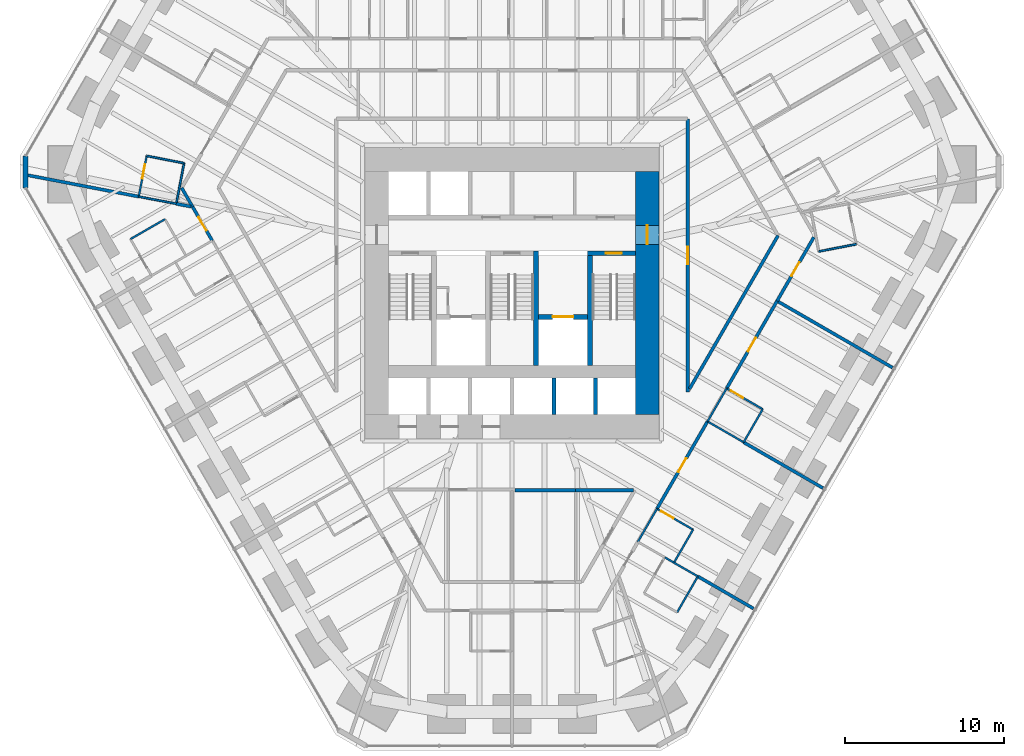
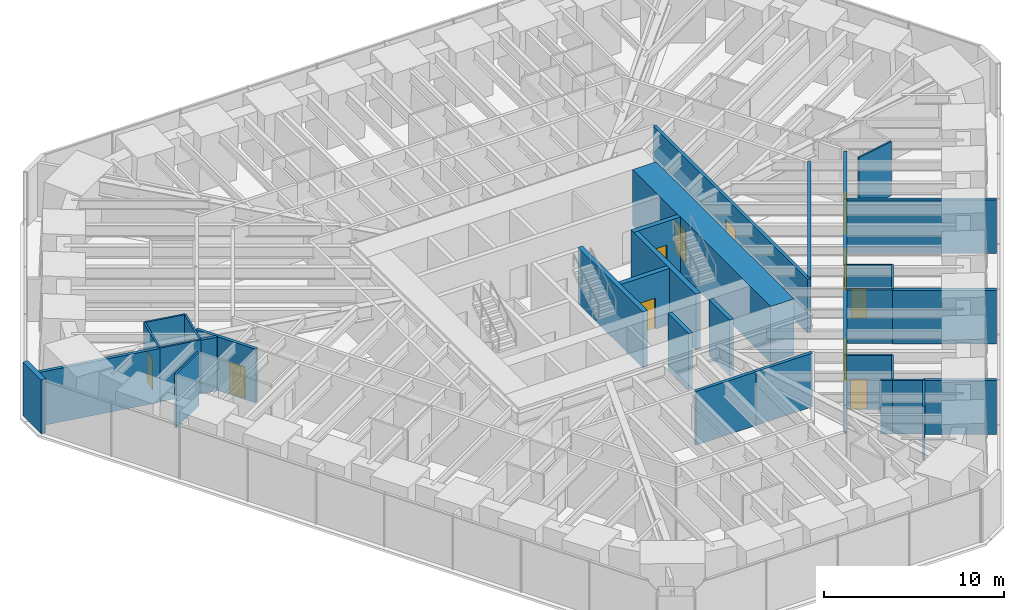
# One storey, part 13 of 17: 38 walls, 11 doors, 11 openings.
"""IFC4 building model written with IfcOpenShell, lengths in metres."""

from ifc_helpers import new_model, si_unit, direction, frame, frame_2d, origin, place, context, subcontext, project, spatial, rectangle, extrude, material, layer, layer_set, type_object, element, fill, save


model = new_model("IFC4")

# Units and contexts
model_context = context("Model", 3, precision=1e-05, world=origin(), true_north=direction((0.0, 1.0)))
body_context = subcontext(model_context, "Body", "Model", "MODEL_VIEW")
ifc_project = project(units=[si_unit("LENGTHUNIT", "METRE"), si_unit("AREAUNIT", "SQUARE_METRE"), si_unit("VOLUMEUNIT", "CUBIC_METRE"), si_unit("PLANEANGLEUNIT", "RADIAN"), si_unit("MASSUNIT", "GRAM", prefix="KILO")], contexts=[model_context])

# Site, building, storey
site_placement = place(None, origin())
site = spatial("IfcSite", under=ifc_project, at=site_placement, CompositionType="ELEMENT")
building_placement = place(site_placement, origin())
building = spatial("IfcBuilding", under=site, at=building_placement, Name="Sandreach Pilgrim Tower", CompositionType="ELEMENT")
storey_placement = place(building_placement, frame((0.0, 0.0, 72.39990234375)))
storey = spatial("IfcBuildingStorey", under=building, at=storey_placement, Name="L17", CompositionType="ELEMENT", Elevation=72.39990234375)

# Wall
ifc_material_1 = material(Name="Moisture-resistant gypsum board on steel studs", Category="steel")
ifc_layer_1 = layer(ifc_material_1, 0.1201171875)
ifc_layer_set_1 = layer_set([ifc_layer_1], Name="Bathroom partition 120")
wall_type_1 = type_object("IfcWallType", Name="Bathroom partition 120", PredefinedType="PARTITIONING", material=ifc_layer_set_1)
wall_1_placement = place(storey_placement, frame((-23.4599609375, 4.510009765625, 0.0), z_axis=(0.0, 0.0, 1.0), x_axis=(0.982228999139, -0.187686422658, 0.0)))
element("IfcWall", 1, at=wall_1_placement, inside=storey, type_object=wall_type_1, Name="Bathroom partition L17-005", PredefinedType="PARTITIONING", context=body_context, shape_type="SweptSolid", body=[
    extrude(rectangle(XDim=2.402587890625, YDim=0.1201171875, at=frame_2d((1.201171875, 0.0))), origin(), (0.0, 0.0, 1.0), 3.64013671875),
])

# Wall, opening, door
wall_2_placement = place(storey_placement, frame((-22.9599609375, 7.070068359375, 0.0), z_axis=(0.0, 0.0, 1.0), x_axis=(-0.191686286181, -0.981456248485, 0.0)))
wall_2 = element("IfcWall", 2, at=wall_2_placement, inside=storey, type_object=wall_type_1, Name="Bathroom partition L17-006", PredefinedType="PARTITIONING", context=body_context, shape_type="SweptSolid", body=[
    extrude(rectangle(XDim=2.6083984375, YDim=0.1201171875, at=frame_2d((1.30419921875, 0.0))), origin(), (0.0, 0.0, 1.0), 3.64013671875),
])
opening_1_placement = place(wall_2_placement, frame((0.550048828125, 0.0, 0.0)))
opening_1 = element("IfcOpeningElement", 3, at=opening_1_placement, cuts=wall_2, Name="Opening D09-17B", PredefinedType="OPENING", context=body_context, shape_type="SweptSolid", body=[
    extrude(rectangle(XDim=0.89990234375, YDim=2.030029296875, at=frame_2d((0.449951171875, 1.01513671875))), frame((0.0, 0.06005859375, 0.0), z_axis=(0.0, -1.0, 0.0), x_axis=(1.0, 0.0, 0.0)), (0.0, 0.0, 1.0), 0.1201171875),
])
ifc_material_2 = material(Name="Timber door, steel frame", Category="steel")
door_type_1 = type_object("IfcDoorType", Name="Bathroom door", OperationType="SINGLE_SWING_LEFT", PredefinedType="DOOR", material=ifc_material_2)
door_1_placement = place(opening_1_placement, origin())
door_1 = element("IfcDoor", 4, at=door_1_placement, inside=storey, type_object=door_type_1, Name="Door 1717B", OperationType="SINGLE_SWING_LEFT", OverallHeight=2.030029296875, OverallWidth=0.89990234375, PredefinedType="DOOR", context=body_context, shape_type="SweptSolid", body=[
    extrude(rectangle(XDim=0.89990234375, YDim=2.030029296875, at=frame_2d((0.449951171875, 1.01513671875))), frame((0.0, 0.02490234375, 0.0), z_axis=(0.0, -1.0, 0.0), x_axis=(1.0, 0.0, 0.0)), (0.0, 0.0, 1.0), 0.050048828125),
])
fill(opening_1, door_1)

# Walls
wall_3_placement = place(storey_placement, frame((-21.81005859375, 3.090087890625, 0.0), z_axis=(0.0, 0.0, 1.0), x_axis=(-0.866510016372, -0.499159685399, 0.0)))
element("IfcWall", 5, at=wall_3_placement, inside=storey, type_object=wall_type_1, Name="Bathroom partition L17-008", PredefinedType="PARTITIONING", context=body_context, shape_type="SweptSolid", body=[
    extrude(rectangle(XDim=2.504150390625, YDim=0.1201171875, at=frame_2d((1.251953125, 0.0))), origin(), (0.0, 0.0, 1.0), 3.64013671875),
])
wall_4_placement = place(storey_placement, frame((-21.10009765625, 4.06005859375, 0.0), z_axis=(0.0, 0.0, 1.0), x_axis=(0.188697442844, 0.982035271802, 0.0)))
element("IfcWall", 6, at=wall_4_placement, inside=storey, type_object=wall_type_1, Name="Bathroom partition L17-013", PredefinedType="PARTITIONING", context=body_context, shape_type="SweptSolid", body=[
    extrude(rectangle(XDim=2.5966796875, YDim=0.1201171875, at=frame_2d((1.29833984375, 0.0))), origin(), (0.0, 0.0, 1.0), 3.64013671875),
])
wall_5_placement = place(storey_placement, frame((-20.610107421875, 6.610107421875, 0.0), z_axis=(0.0, 0.0, 1.0), x_axis=(-0.981376361672, 0.192094863937, 0.0)))
element("IfcWall", 7, at=wall_5_placement, inside=storey, type_object=wall_type_1, Name="Bathroom partition L17-016", PredefinedType="PARTITIONING", context=body_context, shape_type="SweptSolid", body=[
    extrude(rectangle(XDim=2.39453125, YDim=0.1201171875, at=frame_2d((1.197265625, 0.0))), origin(), (0.0, 0.0, 1.0), 3.64013671875),
])
wall_6_placement = place(storey_placement, frame((7.909912109375, -17.18994140625, 0.0), z_axis=(0.0, 0.0, 1.0), x_axis=(0.499737123639, 0.866177122335, 0.0)))
element("IfcWall", 8, at=wall_6_placement, inside=storey, type_object=wall_type_1, Name="Bathroom partition L17-095", PredefinedType="PARTITIONING", context=body_context, shape_type="SweptSolid", body=[
    extrude(rectangle(XDim=2.401123046875, YDim=0.1201171875, at=frame_2d((1.20068359375, 0.0))), origin(), (0.0, 0.0, 1.0), 3.64013671875),
])
wall_7_placement = place(storey_placement, frame((9.60009765625, -18.159912109375, 0.0), z_axis=(0.0, 0.0, 1.0), x_axis=(0.862577739272, -0.505924543497, 0.0)))
element("IfcWall", 9, at=wall_7_placement, inside=storey, type_object=wall_type_1, Name="Bathroom partition L17-111", PredefinedType="PARTITIONING", context=body_context, shape_type="SweptSolid", body=[
    extrude(rectangle(XDim=0.672119140625, YDim=0.1201171875, at=frame_2d((0.3359375, 0.0))), origin(), (0.0, 0.0, 1.0), 3.64013671875),
])
wall_8_placement = place(storey_placement, frame((10.179931640625, -18.5, 0.0), z_axis=(0.0, 0.0, 1.0), x_axis=(0.499693115345, 0.866202511239, 0.0)))
element("IfcWall", 10, at=wall_8_placement, inside=storey, type_object=wall_type_1, Name="Bathroom partition L17-112", PredefinedType="PARTITIONING", context=body_context, shape_type="SweptSolid", body=[
    extrude(rectangle(XDim=2.4013671875, YDim=0.1201171875, at=frame_2d((1.20068359375, 0.0))), origin(), (0.0, 0.0, 1.0), 3.64013671875),
])
wall_9_placement = place(storey_placement, frame((10.179931640625, -18.5, 0.0), z_axis=(0.0, 0.0, 1.0), x_axis=(0.867564547129, -0.497324598794, 0.0)))
element("IfcWall", 11, at=wall_9_placement, inside=storey, type_object=wall_type_1, Name="Bathroom partition L17-113", PredefinedType="PARTITIONING", context=body_context, shape_type="SweptSolid", body=[
    extrude(rectangle(XDim=1.72900390625, YDim=0.1201171875, at=frame_2d((0.864501953125, 0.0))), origin(), (0.0, 0.0, 1.0), 3.64013671875),
])
wall_10_placement = place(storey_placement, frame((10.3798828125, -21.6201171875, 0.0), z_axis=(0.0, 0.0, 1.0), x_axis=(0.498627694264, 0.866816256489, 0.0)))
element("IfcWall", 12, at=wall_10_placement, inside=storey, type_object=wall_type_1, Name="Bathroom partition L17-114", PredefinedType="PARTITIONING", context=body_context, shape_type="SweptSolid", body=[
    extrude(rectangle(XDim=2.607177734375, YDim=0.1201171875, at=frame_2d((1.3037109375, 0.0))), origin(), (0.0, 0.0, 1.0), 3.64013671875),
])

# Wall, opening, door
wall_11_placement = place(storey_placement, frame((11.3798828125, -16.419921875, 0.0), z_axis=(0.0, 0.0, 1.0), x_axis=(-0.866154567199, 0.49977621564, 0.0)))
wall_11 = element("IfcWall", 13, at=wall_11_placement, inside=storey, type_object=wall_type_1, Name="Bathroom partition L17-118", PredefinedType="PARTITIONING", context=body_context, shape_type="SweptSolid", body=[
    extrude(rectangle(XDim=2.620849609375, YDim=0.1201171875, at=frame_2d((1.310546875, 0.0))), origin(), (0.0, 0.0, 1.0), 3.64013671875),
])
opening_2_placement = place(wall_11_placement, frame((1.4208984375, 0.0, 0.0)))
opening_2 = element("IfcOpeningElement", 14, at=opening_2_placement, cuts=wall_11, Name="Opening D09-09B", PredefinedType="OPENING", context=body_context, shape_type="SweptSolid", body=[
    extrude(rectangle(XDim=0.89990234375, YDim=2.030029296875, at=frame_2d((0.449951171875, 1.01513671875))), frame((0.0, 0.06005859375, 0.0), z_axis=(0.0, -1.0, 0.0), x_axis=(1.0, 0.0, 0.0)), (0.0, 0.0, 1.0), 0.1201171875),
])
door_2_placement = place(opening_2_placement, origin())
door_2 = element("IfcDoor", 15, at=door_2_placement, inside=storey, type_object=door_type_1, Name="Door 1709B", OperationType="SINGLE_SWING_RIGHT", OverallHeight=2.030029296875, OverallWidth=0.89990234375, PredefinedType="DOOR", context=body_context, shape_type="SweptSolid", body=[
    extrude(rectangle(XDim=0.89990234375, YDim=2.030029296875, at=frame_2d((0.449951171875, 1.01513671875))), frame((0.0, 0.02490234375, 0.0), z_axis=(0.0, -1.0, 0.0), x_axis=(1.0, 0.0, 0.0)), (0.0, 0.0, 1.0), 0.050048828125),
])
fill(opening_2, door_2)

# Walls
wall_12_placement = place(storey_placement, frame((12.2900390625, -9.6201171875, 0.0), z_axis=(0.0, 0.0, 1.0), x_axis=(0.499693115345, 0.866202511239, 0.0)))
element("IfcWall", 16, at=wall_12_placement, inside=storey, type_object=wall_type_1, Name="Bathroom partition L17-125", PredefinedType="PARTITIONING", context=body_context, shape_type="SweptSolid", body=[
    extrude(rectangle(XDim=2.4013671875, YDim=0.1201171875, at=frame_2d((1.20068359375, 0.0))), origin(), (0.0, 0.0, 1.0), 3.64013671875),
])
wall_13_placement = place(storey_placement, frame((12.2900390625, -9.6201171875, 0.0), z_axis=(0.0, 0.0, 1.0), x_axis=(0.865987003449, -0.500066505434, 0.0)))
element("IfcWall", 17, at=wall_13_placement, inside=storey, type_object=wall_type_1, Name="Bathroom partition L17-126", PredefinedType="PARTITIONING", context=body_context, shape_type="SweptSolid", body=[
    extrude(rectangle(XDim=2.620849609375, YDim=0.1201171875, at=frame_2d((1.310546875, 0.0))), origin(), (0.0, 0.0, 1.0), 3.64013671875),
])
wall_14_placement = place(storey_placement, frame((14.56005859375, -10.929931640625, 0.0), z_axis=(0.0, 0.0, 1.0), x_axis=(0.499737123639, 0.866177122335, 0.0)))
element("IfcWall", 18, at=wall_14_placement, inside=storey, type_object=wall_type_1, Name="Bathroom partition L17-130", PredefinedType="PARTITIONING", context=body_context, shape_type="SweptSolid", body=[
    extrude(rectangle(XDim=2.401123046875, YDim=0.1201171875, at=frame_2d((1.20068359375, 0.0))), origin(), (0.0, 0.0, 1.0), 3.64013671875),
])

# Wall, opening, door
wall_15_placement = place(storey_placement, frame((15.760009765625, -8.85009765625, 0.0), z_axis=(0.0, 0.0, 1.0), x_axis=(-0.866114241029, 0.499846097802, 0.0)))
wall_15 = element("IfcWall", 19, at=wall_15_placement, inside=storey, type_object=wall_type_1, Name="Bathroom partition L17-133", PredefinedType="PARTITIONING", context=body_context, shape_type="SweptSolid", body=[
    extrude(rectangle(XDim=2.620849609375, YDim=0.1201171875, at=frame_2d((1.310546875, 0.0))), origin(), (0.0, 0.0, 1.0), 3.64013671875),
])
opening_3_placement = place(wall_15_placement, frame((1.4208984375, 0.0, 0.0)))
opening_3 = element("IfcOpeningElement", 20, at=opening_3_placement, cuts=wall_15, Name="Opening D09-08B", PredefinedType="OPENING", context=body_context, shape_type="SweptSolid", body=[
    extrude(rectangle(XDim=0.89990234375, YDim=2.030029296875, at=frame_2d((0.449951171875, 1.01513671875))), frame((0.0, 0.06005859375, 0.0), z_axis=(0.0, -1.0, 0.0), x_axis=(1.0, 0.0, 0.0)), (0.0, 0.0, 1.0), 0.1201171875),
])
door_3_placement = place(opening_3_placement, origin())
door_3 = element("IfcDoor", 21, at=door_3_placement, inside=storey, type_object=door_type_1, Name="Door 1708B", OperationType="SINGLE_SWING_RIGHT", OverallHeight=2.030029296875, OverallWidth=0.89990234375, PredefinedType="DOOR", context=body_context, shape_type="SweptSolid", body=[
    extrude(rectangle(XDim=0.89990234375, YDim=2.030029296875, at=frame_2d((0.449951171875, 1.01513671875))), frame((0.0, 0.02490234375, 0.0), z_axis=(0.0, -1.0, 0.0), x_axis=(1.0, 0.0, 0.0)), (0.0, 0.0, 1.0), 0.050048828125),
])
fill(opening_3, door_3)

# Walls
wall_16_placement = place(storey_placement, frame((19.280029296875, 1.06005859375, 0.0), z_axis=(0.0, 0.0, 1.0), x_axis=(0.981529676402, 0.191309943135, 0.0)))
element("IfcWall", 22, at=wall_16_placement, inside=storey, type_object=wall_type_1, Name="Bathroom partition L17-144", PredefinedType="PARTITIONING", context=body_context, shape_type="SweptSolid", body=[
    extrude(rectangle(XDim=2.404296875, YDim=0.1201171875, at=frame_2d((1.2021484375, 0.0))), origin(), (0.0, 0.0, 1.0), 3.64013671875),
])
ifc_material_3 = material(Name="Concrete 10000 psi", Category="concrete")
ifc_layer_2 = layer(ifc_material_3, 0.300048828125)
ifc_layer_set_2 = layer_set([ifc_layer_2], Name="Core inner wall 300")
wall_type_2 = type_object("IfcWallType", Name="Core inner wall 300", PredefinedType="SHEAR", material=ifc_layer_set_2)
for number, where, z_axis, x_axis, name in (
    (23, (1.5, -6.10009765625, 0.0), (0.0, 0.0, 1.0), (0.0, 1.0, 0.0), "Core wall I2 L17"),
    (24, (4.89990234375, -6.10009765625, 0.0), (0.0, 0.0, 1.0), (0.0, 1.0, 0.0), "Core wall I3 L17"),
):
    element("IfcWall", number, at=place(storey_placement, frame(where, z_axis=z_axis, x_axis=x_axis)), inside=storey, type_object=wall_type_2, Name=name, PredefinedType="SHEAR", context=body_context, shape_type="SweptSolid", body=[
        extrude(rectangle(XDim=7.2001953125, YDim=0.300048828125, at=frame_2d((3.60009765625, 0.0))), origin(), (0.0, 0.0, 1.0), 3.800048828125),
    ])

# Wall, opening, door
wall_17_placement = place(storey_placement, frame((4.75, 0.949951171875, 0.0), z_axis=(0.0, 0.0, 1.0), x_axis=(1.0, 0.0, 0.0)))
wall_17 = element("IfcWall", 25, at=wall_17_placement, inside=storey, type_object=wall_type_2, Name="Core wall SN2 L17", PredefinedType="SHEAR", context=body_context, shape_type="SweptSolid", body=[
    extrude(rectangle(XDim=3.0, YDim=0.300048828125, at=frame_2d((1.5, 0.0))), origin(), (0.0, 0.0, 1.0), 3.800048828125),
])
opening_4_placement = place(wall_17_placement, frame((1.14990234375, 0.0, 0.0)))
opening_4 = element("IfcOpeningElement", 26, at=opening_4_placement, cuts=wall_17, Name="Opening D10S-ST2", PredefinedType="OPENING", context=body_context, shape_type="SweptSolid", body=[
    extrude(rectangle(XDim=1.0, YDim=2.199951171875, at=frame_2d((0.5, 1.10009765625))), frame((0.0, 0.14990234375, 0.0), z_axis=(0.0, -1.0, 0.0), x_axis=(1.0, 0.0, 0.0)), (0.0, 0.0, 1.0), 0.300048828125),
])
ifc_material_4 = material(Name="Steel door and frame", Category="steel")
door_type_2 = type_object("IfcDoorType", Name="Stair door", OperationType="SINGLE_SWING_LEFT", PredefinedType="DOOR", material=ifc_material_4)
door_4_placement = place(opening_4_placement, origin())
door_4 = element("IfcDoor", 27, at=door_4_placement, inside=storey, type_object=door_type_2, Name="Stair door ST2 L17", OperationType="SINGLE_SWING_RIGHT", OverallHeight=2.199951171875, OverallWidth=1.0, PredefinedType="DOOR", context=body_context, shape_type="SweptSolid", body=[
    extrude(rectangle(XDim=1.0, YDim=2.199951171875, at=frame_2d((0.5, 1.10009765625))), frame((0.0, 0.02490234375, 0.0), z_axis=(0.0, -1.0, 0.0), x_axis=(1.0, 0.0, 0.0)), (0.0, 0.0, 1.0), 0.050048828125),
])
fill(opening_4, door_4)

wall_18_placement = place(storey_placement, frame((1.64990234375, -3.050048828125, 0.0), z_axis=(0.0, 0.0, 1.0), x_axis=(1.0, 0.0, 0.0)))
wall_18 = element("IfcWall", 28, at=wall_18_placement, inside=storey, type_object=wall_type_2, Name="Core wall FL2 L17", PredefinedType="SHEAR", context=body_context, shape_type="SweptSolid", body=[
    extrude(rectangle(XDim=3.10009765625, YDim=0.300048828125, at=frame_2d((1.550048828125, 0.0))), origin(), (0.0, 0.0, 1.0), 3.800048828125),
])
opening_5_placement = place(wall_18_placement, frame((0.89990234375, 0.0, 0.0)))
opening_5 = element("IfcOpeningElement", 29, at=opening_5_placement, cuts=wall_18, Name="Opening LD13", PredefinedType="OPENING", context=body_context, shape_type="SweptSolid", body=[
    extrude(rectangle(XDim=1.300048828125, YDim=2.10009765625, at=frame_2d((0.64990234375, 1.050048828125))), frame((0.0, 0.14990234375, 0.0), z_axis=(0.0, -1.0, 0.0), x_axis=(1.0, 0.0, 0.0)), (0.0, 0.0, 1.0), 0.300048828125),
])
ifc_material_5 = material(Name="Steel door and frame", Category="steel")
door_type_3 = type_object("IfcDoorType", Name="Fire service lift landing door", OperationType="DOUBLE_DOOR_SLIDING", PredefinedType="DOOR", material=ifc_material_5)
door_5_placement = place(opening_5_placement, origin())
door_5 = element("IfcDoor", 30, at=door_5_placement, inside=storey, type_object=door_type_3, Name="Lift landing door FS2 L17", OperationType="DOUBLE_DOOR_SLIDING", OverallHeight=2.10009765625, OverallWidth=1.300048828125, PredefinedType="DOOR", context=body_context, shape_type="SweptSolid", body=[
    extrude(rectangle(XDim=1.300048828125, YDim=2.10009765625, at=frame_2d((0.64990234375, 1.050048828125))), frame((0.0, 0.02490234375, 0.0), z_axis=(0.0, -1.0, 0.0), x_axis=(1.0, 0.0, 0.0)), (0.0, 0.0, 1.0), 0.050048828125),
])
fill(opening_5, door_5)

ifc_material_6 = material(Name="Concrete 10000 psi", Category="concrete")
ifc_layer_3 = layer(ifc_material_6, 1.5)
ifc_layer_set_3 = layer_set([ifc_layer_3], Name="Core wall 1500")
wall_type_3 = type_object("IfcWallType", Name="Core wall 1500", PredefinedType="SHEAR", material=ifc_layer_set_3)
wall_19_placement = place(storey_placement, frame((8.5, -9.199951171875, 0.0), z_axis=(0.0, 0.0, 1.0), x_axis=(0.0, 1.0, 0.0)))
wall_19 = element("IfcWall", 31, at=wall_19_placement, inside=storey, type_object=wall_type_3, Name="Core wall E L17", PredefinedType="SHEAR", context=body_context, shape_type="SweptSolid", body=[
    extrude(rectangle(XDim=15.300048828125, YDim=1.5, at=frame_2d((7.64990234375, 0.0))), origin(), (0.0, 0.0, 1.0), 3.800048828125),
])
opening_6_placement = place(wall_19_placement, frame((10.699951171875, 0.0, 0.0)))
opening_6 = element("IfcOpeningElement", 32, at=opening_6_placement, cuts=wall_19, Name="Opening D12F-E", PredefinedType="OPENING", context=body_context, shape_type="SweptSolid", body=[
    extrude(rectangle(XDim=1.199951171875, YDim=2.199951171875, at=frame_2d((0.60009765625, 1.10009765625))), frame((0.0, 0.75, 0.0), z_axis=(0.0, -1.0, 0.0), x_axis=(1.0, 0.0, 0.0)), (0.0, 0.0, 1.0), 1.5),
])
ifc_material_7 = material(Name="Steel door and frame", Category="steel")
door_type_4 = type_object("IfcDoorType", Name="Fire lobby door", OperationType="SINGLE_SWING_LEFT", PredefinedType="DOOR", material=ifc_material_7)
door_6_placement = place(opening_6_placement, origin())
door_6 = element("IfcDoor", 33, at=door_6_placement, inside=storey, type_object=door_type_4, Name="Fire service lobby door E L17", OperationType="SINGLE_SWING_RIGHT", OverallHeight=2.199951171875, OverallWidth=1.199951171875, PredefinedType="DOOR", context=body_context, shape_type="SweptSolid", body=[
    extrude(rectangle(XDim=1.199951171875, YDim=2.199951171875, at=frame_2d((0.60009765625, 1.10009765625))), frame((0.0, 0.02490234375, 0.0), z_axis=(0.0, -1.0, 0.0), x_axis=(1.0, 0.0, 0.0)), (0.0, 0.0, 1.0), 0.050048828125),
])
fill(opening_6, door_6)

# Wall
ifc_material_8 = material(Name="Gypsum board on steel studs, two layers each side", Category="steel")
ifc_layer_4 = layer(ifc_material_8, 0.199951171875)
ifc_layer_set_4 = layer_set([ifc_layer_4], Name="Corridor wall 200")
wall_type_4 = type_object("IfcWallType", Name="Corridor wall 200", PredefinedType="PARTITIONING", material=ifc_layer_set_4)
wall_20_placement = place(storey_placement, frame((-20.760009765625, 5.06005859375, 0.0), z_axis=(0.0, 0.0, 1.0), x_axis=(0.49845455473, -0.866915830325, 0.0)))
element("IfcWall", 34, at=wall_20_placement, inside=storey, type_object=wall_type_4, Name="Corridor wall L17-014", PredefinedType="PARTITIONING", context=body_context, shape_type="SweptSolid", body=[
    extrude(rectangle(XDim=1.38427734375, YDim=0.199951171875, at=frame_2d((0.692138671875, 0.0))), origin(), (0.0, 0.0, 1.0), 3.64013671875),
])

# Wall, opening, door
wall_21_placement = place(storey_placement, frame((-20.06982421875, 3.860107421875, 0.0), z_axis=(0.0, 0.0, 1.0), x_axis=(0.501738959866, -0.865019084271, 0.0)))
wall_21 = element("IfcWall", 35, at=wall_21_placement, inside=storey, type_object=wall_type_4, Name="Corridor wall L17-019", PredefinedType="PARTITIONING", context=body_context, shape_type="SweptSolid", body=[
    extrude(rectangle(XDim=2.450927734375, YDim=0.199951171875, at=frame_2d((1.2255859375, 0.0))), origin(), (0.0, 0.0, 1.0), 3.64013671875),
])
opening_7_placement = place(wall_21_placement, frame((0.7255859375, 0.0, 0.0)))
opening_7 = element("IfcOpeningElement", 36, at=opening_7_placement, cuts=wall_21, Name="Opening D10-16", PredefinedType="OPENING", context=body_context, shape_type="SweptSolid", body=[
    extrude(rectangle(XDim=1.0, YDim=2.1298828125, at=frame_2d((0.5, 1.06494140625))), frame((0.0, 0.10009765625, 0.0), z_axis=(0.0, -1.0, 0.0), x_axis=(1.0, 0.0, 0.0)), (0.0, 0.0, 1.0), 0.199951171875),
])
ifc_material_9 = material(Name="Steel door and frame", Category="steel")
door_type_5 = type_object("IfcDoorType", Name="Guest room entry door", OperationType="SINGLE_SWING_LEFT", PredefinedType="DOOR", material=ifc_material_9)
door_7_placement = place(opening_7_placement, origin())
door_7 = element("IfcDoor", 37, at=door_7_placement, inside=storey, type_object=door_type_5, Name="Door 1716", OperationType="SINGLE_SWING_LEFT", OverallHeight=2.1298828125, OverallWidth=1.0, PredefinedType="DOOR", context=body_context, shape_type="SweptSolid", body=[
    extrude(rectangle(XDim=1.0, YDim=2.1298828125, at=frame_2d((0.5, 1.06494140625))), frame((0.0, 0.02490234375, 0.0), z_axis=(0.0, -1.0, 0.0), x_axis=(1.0, 0.0, 0.0)), (0.0, 0.0, 1.0), 0.050048828125),
])
fill(opening_7, door_7)

# Walls
wall_22_placement = place(storey_placement, frame((0.179931640625, -13.949951171875, 0.0), z_axis=(0.0, 0.0, 1.0), x_axis=(1.0, 0.0, 0.0)))
element("IfcWall", 38, at=wall_22_placement, inside=storey, type_object=wall_type_4, Name="Corridor wall L17-075", PredefinedType="PARTITIONING", context=body_context, shape_type="SweptSolid", body=[
    extrude(rectangle(XDim=3.820068359375, YDim=0.199951171875, at=frame_2d((1.91015625, 0.0))), origin(), (0.0, 0.0, 1.0), 3.64013671875),
])
wall_23_placement = place(storey_placement, frame((4.0, -13.949951171875, 0.0), z_axis=(0.0, 0.0, 1.0), x_axis=(1.0, 0.0, 0.0)))
element("IfcWall", 39, at=wall_23_placement, inside=storey, type_object=wall_type_4, Name="Corridor wall L17-083", PredefinedType="PARTITIONING", context=body_context, shape_type="SweptSolid", body=[
    extrude(rectangle(XDim=3.635009765625, YDim=0.199951171875, at=frame_2d((1.8173828125, 0.0))), origin(), (0.0, 0.0, 1.0), 3.64013671875),
])

# Wall, opening, door
wall_24_placement = place(storey_placement, frame((9.110107421875, -15.110107421875, 0.0), z_axis=(0.0, 0.0, 1.0), x_axis=(0.50119856319, 0.865332306259, 0.0)))
wall_24 = element("IfcWall", 40, at=wall_24_placement, inside=storey, type_object=wall_type_4, Name="Corridor wall L17-102", PredefinedType="PARTITIONING", context=body_context, shape_type="SweptSolid", body=[
    extrude(rectangle(XDim=6.3447265625, YDim=0.199951171875, at=frame_2d((3.17236328125, 0.0))), origin(), (0.0, 0.0, 1.0), 3.64013671875),
])
opening_8_placement = place(wall_24_placement, frame((2.67236328125, 0.0, 0.0)))
opening_8 = element("IfcOpeningElement", 41, at=opening_8_placement, cuts=wall_24, Name="Opening D10-09", PredefinedType="OPENING", context=body_context, shape_type="SweptSolid", body=[
    extrude(rectangle(XDim=1.0, YDim=2.1298828125, at=frame_2d((0.5, 1.06494140625))), frame((0.0, 0.10009765625, 0.0), z_axis=(0.0, -1.0, 0.0), x_axis=(1.0, 0.0, 0.0)), (0.0, 0.0, 1.0), 0.199951171875),
])
door_8_placement = place(opening_8_placement, origin())
door_8 = element("IfcDoor", 42, at=door_8_placement, inside=storey, type_object=door_type_5, Name="Door 1709", OperationType="SINGLE_SWING_LEFT", OverallHeight=2.1298828125, OverallWidth=1.0, PredefinedType="DOOR", context=body_context, shape_type="SweptSolid", body=[
    extrude(rectangle(XDim=1.0, YDim=2.1298828125, at=frame_2d((0.5, 1.06494140625))), frame((0.0, 0.02490234375, 0.0), z_axis=(0.0, -1.0, 0.0), x_axis=(1.0, 0.0, 0.0)), (0.0, 0.0, 1.0), 0.050048828125),
])
fill(opening_8, door_8)

wall_25_placement = place(storey_placement, frame((11.050048828125, -7.760009765625, 0.0), z_axis=(0.0, 0.0, 1.0), x_axis=(0.0, 1.0, 0.0)))
wall_25 = element("IfcWall", 43, at=wall_25_placement, inside=storey, type_object=wall_type_4, Name="Corridor wall L17-117", PredefinedType="PARTITIONING", context=body_context, shape_type="SweptSolid", body=[
    extrude(rectangle(XDim=17.159912109375, YDim=0.199951171875, at=frame_2d((8.580078125, 0.0))), origin(), (0.0, 0.0, 1.0), 3.64013671875),
])
opening_9_placement = place(wall_25_placement, frame((8.030029296875, 0.0, 0.0)))
opening_9 = element("IfcOpeningElement", 44, at=opening_9_placement, cuts=wall_25, Name="Opening D11H-M04", PredefinedType="OPENING", context=body_context, shape_type="SweptSolid", body=[
    extrude(rectangle(XDim=1.10009765625, YDim=2.199951171875, at=frame_2d((0.550048828125, 1.10009765625))), frame((0.0, 0.10009765625, 0.0), z_axis=(0.0, -1.0, 0.0), x_axis=(1.0, 0.0, 0.0)), (0.0, 0.0, 1.0), 0.199951171875),
])
ifc_material_10 = material(Name="Steel door and frame", Category="steel")
door_type_6 = type_object("IfcDoorType", Name="Back of house door", OperationType="SINGLE_SWING_LEFT", PredefinedType="DOOR", material=ifc_material_10)
door_9_placement = place(opening_9_placement, origin())
door_9 = element("IfcDoor", 45, at=door_9_placement, inside=storey, type_object=door_type_6, Name="Door 17M04", OperationType="SINGLE_SWING_LEFT", OverallHeight=2.199951171875, OverallWidth=1.10009765625, PredefinedType="DOOR", context=body_context, shape_type="SweptSolid", body=[
    extrude(rectangle(XDim=1.10009765625, YDim=2.199951171875, at=frame_2d((0.550048828125, 1.10009765625))), frame((0.0, 0.02490234375, 0.0), z_axis=(0.0, -1.0, 0.0), x_axis=(1.0, 0.0, 0.0)), (0.0, 0.0, 1.0), 0.050048828125),
])
fill(opening_9, door_9)

wall_26_placement = place(storey_placement, frame((13.489990234375, -7.5400390625, 0.0), z_axis=(0.0, 0.0, 1.0), x_axis=(0.500032479136, 0.866006651134, 0.0)))
wall_26 = element("IfcWall", 46, at=wall_26_placement, inside=storey, type_object=wall_type_4, Name="Corridor wall L17-127", PredefinedType="PARTITIONING", context=body_context, shape_type="SweptSolid", body=[
    extrude(rectangle(XDim=6.33935546875, YDim=0.199951171875, at=frame_2d((3.169677734375, 0.0))), origin(), (0.0, 0.0, 1.0), 3.64013671875),
])
opening_10_placement = place(wall_26_placement, frame((2.669921875, 0.0, 0.0)))
opening_10 = element("IfcOpeningElement", 47, at=opening_10_placement, cuts=wall_26, Name="Opening D10-08", PredefinedType="OPENING", context=body_context, shape_type="SweptSolid", body=[
    extrude(rectangle(XDim=1.0, YDim=2.1298828125, at=frame_2d((0.5, 1.06494140625))), frame((0.0, 0.10009765625, 0.0), z_axis=(0.0, -1.0, 0.0), x_axis=(1.0, 0.0, 0.0)), (0.0, 0.0, 1.0), 0.199951171875),
])
door_10_placement = place(opening_10_placement, origin())
door_10 = element("IfcDoor", 48, at=door_10_placement, inside=storey, type_object=door_type_5, Name="Door 1708", OperationType="SINGLE_SWING_LEFT", OverallHeight=2.1298828125, OverallWidth=1.0, PredefinedType="DOOR", context=body_context, shape_type="SweptSolid", body=[
    extrude(rectangle(XDim=1.0, YDim=2.1298828125, at=frame_2d((0.5, 1.06494140625))), frame((0.0, 0.02490234375, 0.0), z_axis=(0.0, -1.0, 0.0), x_axis=(1.0, 0.0, 0.0)), (0.0, 0.0, 1.0), 0.050048828125),
])
fill(opening_10, door_10)

wall_27_placement = place(storey_placement, frame((16.659912109375, -2.050048828125, 0.0), z_axis=(0.0, 0.0, 1.0), x_axis=(0.499535055988, 0.866293672977, 0.0)))
wall_27 = element("IfcWall", 49, at=wall_27_placement, inside=storey, type_object=wall_type_4, Name="Corridor wall L17-135", PredefinedType="PARTITIONING", context=body_context, shape_type="SweptSolid", body=[
    extrude(rectangle(XDim=4.62451171875, YDim=0.199951171875, at=frame_2d((2.312255859375, 0.0))), origin(), (0.0, 0.0, 1.0), 3.64013671875),
])
opening_11_placement = place(wall_27_placement, frame((1.812255859375, 0.0, 0.0)))
opening_11 = element("IfcOpeningElement", 50, at=opening_11_placement, cuts=wall_27, Name="Opening D10-07", PredefinedType="OPENING", context=body_context, shape_type="SweptSolid", body=[
    extrude(rectangle(XDim=1.0, YDim=2.1298828125, at=frame_2d((0.5, 1.06494140625))), frame((0.0, 0.10009765625, 0.0), z_axis=(0.0, -1.0, 0.0), x_axis=(1.0, 0.0, 0.0)), (0.0, 0.0, 1.0), 0.199951171875),
])
door_11_placement = place(opening_11_placement, origin())
door_11 = element("IfcDoor", 51, at=door_11_placement, inside=storey, type_object=door_type_5, Name="Door 1707", OperationType="SINGLE_SWING_LEFT", OverallHeight=2.1298828125, OverallWidth=1.0, PredefinedType="DOOR", context=body_context, shape_type="SweptSolid", body=[
    extrude(rectangle(XDim=1.0, YDim=2.1298828125, at=frame_2d((0.5, 1.06494140625))), frame((0.0, 0.02490234375, 0.0), z_axis=(0.0, -1.0, 0.0), x_axis=(1.0, 0.0, 0.0)), (0.0, 0.0, 1.0), 0.050048828125),
])
fill(opening_11, door_11)

# Walls
wall_28_placement = place(storey_placement, frame((16.719970703125, 2.06005859375, 0.0), z_axis=(0.0, 0.0, 1.0), x_axis=(-0.500028942393, -0.866008693241, 0.0)))
element("IfcWall", 52, at=wall_28_placement, inside=storey, type_object=wall_type_4, Name="Corridor wall L17-136", PredefinedType="PARTITIONING", context=body_context, shape_type="SweptSolid", body=[
    extrude(rectangle(XDim=11.124267578125, YDim=0.199951171875, at=frame_2d((5.56201171875, 0.0))), origin(), (0.0, 0.0, 1.0), 3.64013671875),
])
ifc_material_11 = material(Name="Double steel stud acoustic wall, gypsum board", Category="steel")
ifc_layer_5 = layer(ifc_material_11, 0.199951171875)
ifc_layer_set_5 = layer_set([ifc_layer_5], Name="Party wall 200")
wall_type_5 = type_object("IfcWallType", Name="Party wall 200", PredefinedType="PARTITIONING", material=ifc_layer_set_5)
wall_29_placement = place(storey_placement, frame((-30.590576171875, 5.88427734375, 0.0), z_axis=(0.0, 0.0, 1.0), x_axis=(0.981929870864, -0.189245155035, 0.0)))
element("IfcWall", 53, at=wall_29_placement, inside=storey, type_object=wall_type_5, Name="Party wall L17-001", PredefinedType="PARTITIONING", context=body_context, shape_type="SweptSolid", body=[
    extrude(rectangle(XDim=7.26171875, YDim=0.199951171875, at=frame_2d((3.630859375, 0.0))), origin(), (0.0, 0.0, 1.0), 3.64013671875),
])
wall_30_placement = place(storey_placement, frame((-21.10009765625, 4.05908203125, 0.0), z_axis=(0.0, 0.0, 1.0), x_axis=(0.981823396721, -0.189796779877, 0.0)))
element("IfcWall", 54, at=wall_30_placement, inside=storey, type_object=wall_type_5, Name="Party wall L17-012", PredefinedType="PARTITIONING", context=body_context, shape_type="SweptSolid", body=[
    extrude(rectangle(XDim=0.944091796875, YDim=0.199951171875, at=frame_2d((0.47216796875, 0.0))), origin(), (0.0, 0.0, 1.0), 3.64013671875),
])
wall_31_placement = place(storey_placement, frame((11.679931640625, -19.360107421875, 0.0), z_axis=(0.0, 0.0, 1.0), x_axis=(0.865885444553, -0.500242338183, 0.0)))
element("IfcWall", 55, at=wall_31_placement, inside=storey, type_object=wall_type_5, Name="Party wall L17-119", PredefinedType="PARTITIONING", context=body_context, shape_type="SweptSolid", body=[
    extrude(rectangle(XDim=4.03759765625, YDim=0.199951171875, at=frame_2d((2.018798828125, 0.0))), origin(), (0.0, 0.0, 1.0), 3.64013671875),
])
wall_32_placement = place(storey_placement, frame((14.5595703125, -10.9306640625, 0.0), z_axis=(0.0, 0.0, 1.0), x_axis=(0.865995646508, -0.500051537573, 0.0)))
element("IfcWall", 56, at=wall_32_placement, inside=storey, type_object=wall_type_5, Name="Party wall L17-129", PredefinedType="PARTITIONING", context=body_context, shape_type="SweptSolid", body=[
    extrude(rectangle(XDim=5.75830078125, YDim=0.199951171875, at=frame_2d((2.879150390625, 0.0))), origin(), (0.0, 0.0, 1.0), 3.64013671875),
])
wall_33_placement = place(storey_placement, frame((23.916015625, -6.239990234375, 0.0), z_axis=(0.0, 0.0, 1.0), x_axis=(-0.865982991691, 0.500073452706, 0.0)))
element("IfcWall", 57, at=wall_33_placement, inside=storey, type_object=wall_type_5, Name="Party wall L17-150", PredefinedType="PARTITIONING", context=body_context, shape_type="SweptSolid", body=[
    extrude(rectangle(XDim=8.368896484375, YDim=0.199951171875, at=frame_2d((4.1845703125, 0.0))), origin(), (0.0, 0.0, 1.0), 3.64013671875),
])
ifc_material_12 = material(Name="Gypsum shaft wall on steel studs, two layers of shaft liner board", Category="steel")
ifc_layer_6 = layer(ifc_material_12, 0.25)
ifc_layer_set_6 = layer_set([ifc_layer_6], Name="Shaft partition 250")
wall_type_6 = type_object("IfcWallType", Name="Shaft partition 250", PredefinedType="PARTITIONING", material=ifc_layer_set_6)
for number, where, z_axis, x_axis, name in (
    (58, (2.625, -9.199951171875, 0.0), (0.0, 0.0, 1.0), (0.0, 1.0, 0.0), "Shaft partition XS3 L17"),
    (59, (5.25, -9.199951171875, 0.0), (0.0, 0.0, 1.0), (0.0, 1.0, 0.0), "Shaft partition XS4 L17"),
):
    element("IfcWall", number, at=place(storey_placement, frame(where, z_axis=z_axis, x_axis=x_axis)), inside=storey, type_object=wall_type_6, Name=name, PredefinedType="PARTITIONING", context=body_context, shape_type="SweptSolid", body=[
        extrude(rectangle(XDim=2.300048828125, YDim=0.25, at=frame_2d((1.14990234375, 0.0))), origin(), (0.0, 0.0, 1.0), 3.800048828125),
    ])
ifc_material_13 = material(Name="Terracotta rainscreen on concrete", Category="masonry")
ifc_layer_7 = layer(ifc_material_13, 0.300048828125)
ifc_layer_set_7 = layer_set([ifc_layer_7], Name="Terracotta chamfer pier")
wall_type_7 = type_object("IfcWallType", Name="Terracotta chamfer pier", PredefinedType="SOLIDWALL", material=ifc_layer_set_7)
wall_34_placement = place(storey_placement, frame((-30.576171875, 5.062255859375, 0.0), z_axis=(0.0, 0.0, 1.0), x_axis=(0.0, 1.0, 0.0)))
element("IfcWall", 60, at=wall_34_placement, inside=storey, type_object=wall_type_7, Name="Chamfer pier L17 SW", PredefinedType="SOLIDWALL", context=body_context, shape_type="SweptSolid", body=[
    extrude(rectangle(XDim=2.0, YDim=0.300048828125, at=frame_2d((1.0, 0.0))), origin(), (0.0, 0.0, 1.0), 3.64013671875),
])

save(model, "model.ifc")
